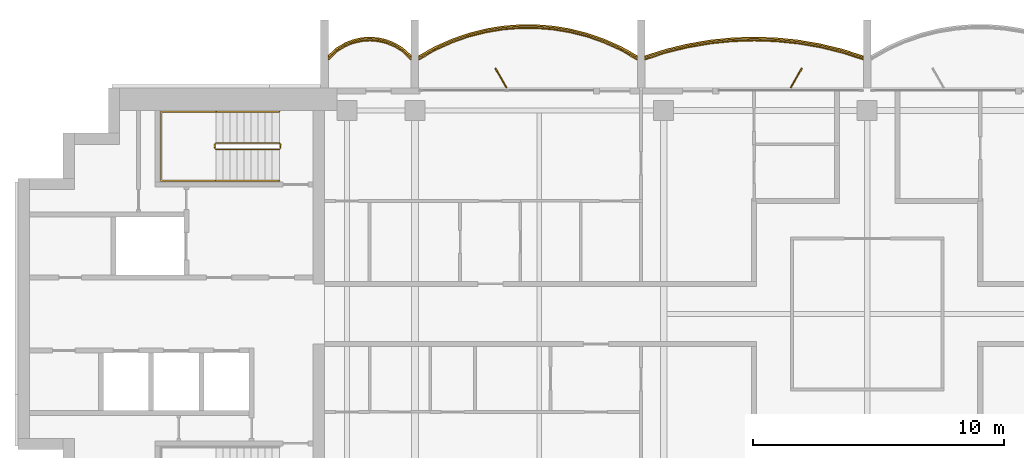
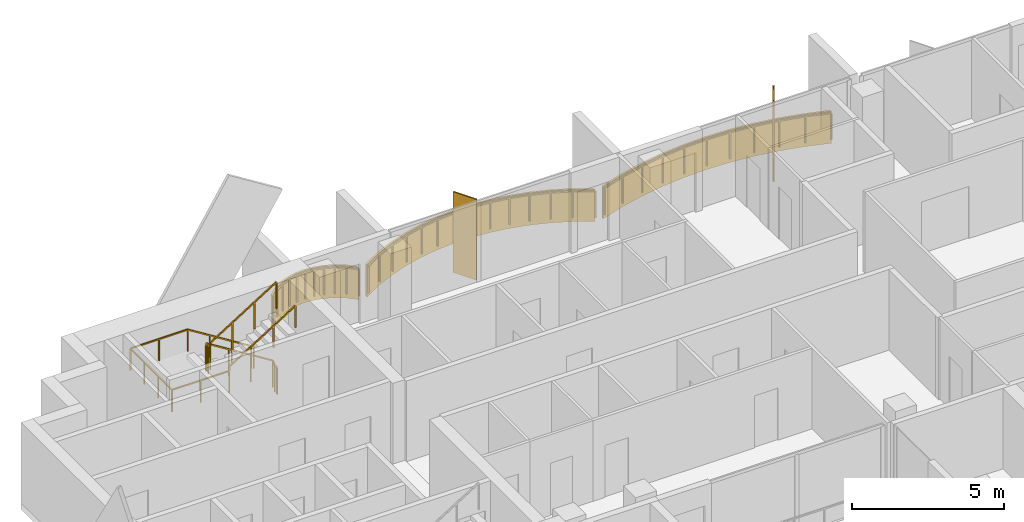
# One storey, part 14 of 16: 5 railings, 3 coverings, 2 shading devices.
"""IFC4 building model written with IfcOpenShell, lengths in metres."""

from ifc_helpers import new_model, si_unit, direction, frame, origin, origin_2d, place, context, subcontext, project, spatial, polyline, rectangle, outline, extrude, material, layer, layer_set, type_object, element, save


model = new_model("IFC4")

# Units and contexts
model_context = context("Model", 3, precision=1e-05, world=origin(), true_north=direction((0.0, 1.0)))
body_context = subcontext(model_context, "Body", "Model", "MODEL_VIEW")
ifc_project = project(units=[si_unit("LENGTHUNIT", "METRE"), si_unit("AREAUNIT", "SQUARE_METRE"), si_unit("VOLUMEUNIT", "CUBIC_METRE"), si_unit("PLANEANGLEUNIT", "RADIAN"), si_unit("MASSUNIT", "GRAM", prefix="KILO")], contexts=[model_context])

# Site, building, storey
site_placement = place(None, origin())
site = spatial("IfcSite", under=ifc_project, at=site_placement, CompositionType="ELEMENT")
building_placement = place(site_placement, origin())
building = spatial("IfcBuilding", under=site, at=building_placement, Name="Perihelion Cross Residences", CompositionType="ELEMENT")
storey_placement = place(building_placement, frame((0.0, 0.0, 239.5)))
storey = spatial("IfcBuildingStorey", under=building, at=storey_placement, Name="L60", CompositionType="ELEMENT", Elevation=239.5)

# Coverings
ifc_material_1 = material(Name="Bronze anodised aluminium", Category="aluminium")
ifc_layer_1 = layer(ifc_material_1, 0.070068359375)
ifc_layer_set_1 = layer_set([ifc_layer_1], Name="Balcony fascia 1300")
covering_type = type_object("IfcCoveringType", Name="Balcony fascia 1300", PredefinedType="CLADDING", material=ifc_layer_set_1)
covering_1_placement = place(storey_placement, frame((0.0, 0.0, -0.199951171875)))
element("IfcCovering", 1, at=covering_1_placement, inside=storey, type_object=covering_type, Name="Fascia BF1 L60 north side east bay 2", PredefinedType="CLADDING", context=body_context, shape_type="SweptSolid", body=[
    extrude(outline(polyline([(-1.001220703125, 10.542724609375), (-1.8759765625, 10.753662109375), (-2.750732421875, 10.90234375), (-3.625244140625, 10.99072265625), (-4.5, 11.02001953125), (-5.374755859375, 10.99072265625), (-6.249267578125, 10.90234375), (-7.1240234375, 10.753662109375), (-7.998779296875, 10.542724609375), (-8.85009765625, 10.2734375), (-8.85009765625, 10.199951171875), (-7.97998046875, 10.47509765625), (-7.110107421875, 10.68505859375), (-6.239990234375, 10.8330078125), (-5.3701171875, 10.9208984375), (-4.5, 10.949951171875), (-3.6298828125, 10.9208984375), (-2.760009765625, 10.8330078125), (-1.889892578125, 10.68505859375), (-1.02001953125, 10.47509765625), (-0.14990234375, 10.199951171875), (-0.14990234375, 10.2734375), (-1.001220703125, 10.542724609375)])), origin(), (0.0, 0.0, 1.0), 1.300048828125),
])
covering_2_placement = place(storey_placement, frame((0.0, 0.0, -0.199951171875)))
element("IfcCovering", 2, at=covering_2_placement, inside=storey, type_object=covering_type, Name="Fascia BF1 L60 west side north bay 1", PredefinedType="CLADDING", context=body_context, shape_type="SweptSolid", body=[
    extrude(outline(polyline([(-9.787841796875, 10.63916015625), (-10.462646484375, 10.941650390625), (-11.1376953125, 11.175048828125), (-11.8125, 11.345947265625), (-12.487548828125, 11.457763671875), (-13.16259765625, 11.51318359375), (-13.83740234375, 11.51318359375), (-14.512451171875, 11.457763671875), (-15.1875, 11.345947265625), (-15.8623046875, 11.175048828125), (-16.537353515625, 10.941650390625), (-17.212158203125, 10.63916015625), (-17.85009765625, 10.2802734375), (-17.85009765625, 10.199951171875), (-17.1806640625, 10.57666015625), (-16.511474609375, 10.87646484375), (-15.84228515625, 11.108154296875), (-15.173095703125, 11.27734375), (-14.50390625, 11.38818359375), (-13.834716796875, 11.443115234375), (-13.165283203125, 11.443115234375), (-12.49609375, 11.38818359375), (-11.826904296875, 11.27734375), (-11.15771484375, 11.108154296875), (-10.488525390625, 10.87646484375), (-9.8193359375, 10.57666015625), (-9.14990234375, 10.199951171875), (-9.14990234375, 10.2802734375), (-9.787841796875, 10.63916015625)])), origin(), (0.0, 0.0, 1.0), 1.300048828125),
])
covering_3_placement = place(storey_placement, frame((0.0, 0.0, -0.199951171875)))
element("IfcCovering", 3, at=covering_3_placement, inside=storey, type_object=covering_type, Name="Fascia BF1 L60 west side north bay 2", PredefinedType="CLADDING", context=body_context, shape_type="SweptSolid", body=[
    extrude(outline(polyline([(-18.4375, 10.56298828125), (-18.778076171875, 10.77587890625), (-19.11865234375, 10.914794921875), (-19.45947265625, 10.994140625), (-19.800048828125, 11.02001953125), (-20.140625, 10.994140625), (-20.481201171875, 10.914794921875), (-20.82177734375, 10.77587890625), (-21.16259765625, 10.56298828125), (-21.449951171875, 10.295654296875), (-21.449951171875, 10.199951171875), (-21.1201171875, 10.507568359375), (-20.7900390625, 10.71337890625), (-20.4599609375, 10.84814453125), (-20.1298828125, 10.925048828125), (-19.800048828125, 10.949951171875), (-19.469970703125, 10.925048828125), (-19.139892578125, 10.84814453125), (-18.81005859375, 10.71337890625), (-18.47998046875, 10.507568359375), (-18.14990234375, 10.199951171875), (-18.14990234375, 10.295654296875), (-18.4375, 10.56298828125)])), origin(), (0.0, 0.0, 1.0), 1.300048828125),
])

# Railings
ifc_material_2 = material(Name="Bronze anodised aluminium", Category="aluminium")
railing_type_1 = type_object("IfcRailingType", Name="Balcony guard 1100", PredefinedType="GUARDRAIL", material=ifc_material_2)
railing_1_placement = place(storey_placement, frame((-0.175048828125, 10.139892578125, 0.0)))
element("IfcRailing", 4, at=railing_1_placement, inside=storey, type_object=railing_type_1, Name="Guard GU1 L60 north side east bay 2 balcony", PredefinedType="GUARDRAIL", context=body_context, shape_type="SweptSolid", body=[
    extrude(rectangle(XDim=0.048095703125, YDim=0.048095703125, at=origin_2d()), frame((0.0, 0.0, 1.076171875), z_axis=(-0.950777354264, 0.30987484993, 0.0), x_axis=(-0.30987484993, -0.950777354264, 0.0)), (0.0, 0.0, 1.0), 0.888671875),
    extrude(rectangle(XDim=0.048095703125, YDim=0.048095703125, at=origin_2d()), frame((-0.844970703125, 0.275390625, 1.076171875), z_axis=(-0.972146551129, 0.234373810671, 0.0), x_axis=(-0.234373810671, -0.972146551129, 0.0)), (0.0, 0.0, 1.0), 0.894775390625),
    extrude(rectangle(XDim=0.048095703125, YDim=0.048095703125, at=origin_2d()), frame((-1.71484375, 0.485107421875, 1.076171875), z_axis=(-0.985850361727, 0.167627755108, 0.0), x_axis=(-0.167627755108, -0.985850361727, 0.0)), (0.0, 0.0, 1.0), 0.882568359375),
    extrude(rectangle(XDim=0.048095703125, YDim=0.048095703125, at=origin_2d()), frame((-2.5849609375, 0.633056640625, 1.076171875), z_axis=(-0.994934368303, 0.100526627165, 0.0), x_axis=(-0.100526627165, -0.994934368303, 0.0)), (0.0, 0.0, 1.0), 0.874267578125),
    extrude(rectangle(XDim=0.048095703125, YDim=0.048095703125, at=origin_2d()), frame((-3.454833984375, 0.720947265625, 1.076171875), z_axis=(-0.999443037968, 0.0333708534, 0.0), x_axis=(-0.0333708534, -0.999443037968, 0.0)), (0.0, 0.0, 1.0), 0.87060546875),
    extrude(rectangle(XDim=0.048095703125, YDim=0.048095703125, at=origin_2d()), frame((-4.324951171875, 0.75, 1.076171875), z_axis=(-0.999443037968, -0.0333708534, 0.0), x_axis=(0.0333708534, -0.999443037968, 0.0)), (0.0, 0.0, 1.0), 0.87060546875),
    extrude(rectangle(XDim=0.048095703125, YDim=0.048095703125, at=origin_2d()), frame((-5.195068359375, 0.720947265625, 1.076171875), z_axis=(-0.994934368303, -0.100526627165, 0.0), x_axis=(0.100526627165, -0.994934368303, 0.0)), (0.0, 0.0, 1.0), 0.874267578125),
    extrude(rectangle(XDim=0.048095703125, YDim=0.048095703125, at=origin_2d()), frame((-6.06494140625, 0.633056640625, 1.076171875), z_axis=(-0.985850361727, -0.167627755108, 0.0), x_axis=(0.167627755108, -0.985850361727, 0.0)), (0.0, 0.0, 1.0), 0.882568359375),
    extrude(rectangle(XDim=0.048095703125, YDim=0.048095703125, at=origin_2d()), frame((-6.93505859375, 0.485107421875, 1.076171875), z_axis=(-0.972146551129, -0.234373810671, 0.0), x_axis=(0.234373810671, -0.972146551129, 0.0)), (0.0, 0.0, 1.0), 0.894775390625),
    extrude(rectangle(XDim=0.048095703125, YDim=0.048095703125, at=origin_2d()), frame((-7.804931640625, 0.275390625, 1.076171875), z_axis=(-0.950777354264, -0.30987484993, 0.0), x_axis=(0.30987484993, -0.950777354264, 0.0)), (0.0, 0.0, 1.0), 0.888671875),
    extrude(rectangle(XDim=0.0419921875, YDim=0.0419921875, at=origin_2d()), origin(), (0.0, 0.0, 1.0), 1.052001953125),
    extrude(rectangle(XDim=0.0419921875, YDim=0.0419921875, at=origin_2d()), frame((-0.844970703125, 0.275390625, 0.0)), (0.0, 0.0, 1.0), 1.052001953125),
    extrude(rectangle(XDim=0.0419921875, YDim=0.0419921875, at=origin_2d()), frame((-1.71484375, 0.485107421875, 0.0)), (0.0, 0.0, 1.0), 1.052001953125),
    extrude(rectangle(XDim=0.0419921875, YDim=0.0419921875, at=origin_2d()), frame((-2.5849609375, 0.633056640625, 0.0)), (0.0, 0.0, 1.0), 1.052001953125),
    extrude(rectangle(XDim=0.0419921875, YDim=0.0419921875, at=origin_2d()), frame((-3.454833984375, 0.720947265625, 0.0)), (0.0, 0.0, 1.0), 1.052001953125),
    extrude(rectangle(XDim=0.0419921875, YDim=0.0419921875, at=origin_2d()), frame((-4.324951171875, 0.75, 0.0)), (0.0, 0.0, 1.0), 1.052001953125),
    extrude(rectangle(XDim=0.0419921875, YDim=0.0419921875, at=origin_2d()), frame((-5.195068359375, 0.720947265625, 0.0)), (0.0, 0.0, 1.0), 1.052001953125),
    extrude(rectangle(XDim=0.0419921875, YDim=0.0419921875, at=origin_2d()), frame((-6.06494140625, 0.633056640625, 0.0)), (0.0, 0.0, 1.0), 1.052001953125),
    extrude(rectangle(XDim=0.0419921875, YDim=0.0419921875, at=origin_2d()), frame((-6.93505859375, 0.485107421875, 0.0)), (0.0, 0.0, 1.0), 1.052001953125),
    extrude(rectangle(XDim=0.0419921875, YDim=0.0419921875, at=origin_2d()), frame((-7.804931640625, 0.275390625, 0.0)), (0.0, 0.0, 1.0), 1.052001953125),
    extrude(rectangle(XDim=0.0419921875, YDim=0.0419921875, at=origin_2d()), frame((-8.64990234375, 0.0, 0.0)), (0.0, 0.0, 1.0), 1.052001953125),
])
railing_2_placement = place(storey_placement, frame((-9.175048828125, 10.139892578125, 0.0)))
element("IfcRailing", 5, at=railing_2_placement, inside=storey, type_object=railing_type_1, Name="Guard GU1 L60 west side north bay 1 balcony", PredefinedType="GUARDRAIL", context=body_context, shape_type="SweptSolid", body=[
    extrude(rectangle(XDim=0.048095703125, YDim=0.048095703125, at=origin_2d()), frame((0.0, 0.0, 1.076171875), z_axis=(-0.863125740505, 0.504989065305, 0.0), x_axis=(-0.504989065305, -0.863125740505, 0.0)), (0.0, 0.0, 1.0), 0.746337890625),
    extrude(rectangle(XDim=0.048095703125, YDim=0.048095703125, at=origin_2d()), frame((-0.644287109375, 0.376953125, 1.076171875), z_axis=(-0.912723499295, 0.408577794103, 0.0), x_axis=(-0.408577794103, -0.912723499295, 0.0)), (0.0, 0.0, 1.0), 0.733154296875),
    extrude(rectangle(XDim=0.048095703125, YDim=0.048095703125, at=origin_2d()), frame((-1.3134765625, 0.676513671875, 1.076171875), z_axis=(-0.944965577734, 0.327169767701, 0.0), x_axis=(-0.327169767701, -0.944965577734, 0.0)), (0.0, 0.0, 1.0), 0.708251953125),
    extrude(rectangle(XDim=0.048095703125, YDim=0.048095703125, at=origin_2d()), frame((-1.982666015625, 0.908203125, 1.076171875), z_axis=(-0.96949408574, 0.245114703181, 0.0), x_axis=(-0.245114703181, -0.96949408574, 0.0)), (0.0, 0.0, 1.0), 0.690185546875),
    extrude(rectangle(XDim=0.048095703125, YDim=0.048095703125, at=origin_2d()), frame((-2.65185546875, 1.077392578125, 1.076171875), z_axis=(-0.986500713816, 0.163756959061, 0.0), x_axis=(-0.163756959061, -0.986500713816, 0.0)), (0.0, 0.0, 1.0), 0.678466796875),
    extrude(rectangle(XDim=0.048095703125, YDim=0.048095703125, at=origin_2d()), frame((-3.321044921875, 1.1884765625, 1.076171875), z_axis=(-0.996677390684, 0.081450468994, 0.0), x_axis=(-0.081450468994, -0.996677390684, 0.0)), (0.0, 0.0, 1.0), 0.67138671875),
    extrude(rectangle(XDim=0.048095703125, YDim=0.048095703125, at=origin_2d()), frame((-3.990234375, 1.2431640625, 1.076171875), z_axis=(-1.0, 0.0, 0.0), x_axis=(0.0, -1.0, 0.0)), (0.0, 0.0, 1.0), 0.66943359375),
    extrude(rectangle(XDim=0.048095703125, YDim=0.048095703125, at=origin_2d()), frame((-4.65966796875, 1.2431640625, 1.076171875), z_axis=(-0.996677390684, -0.081450468994, 0.0), x_axis=(0.081450468994, -0.996677390684, 0.0)), (0.0, 0.0, 1.0), 0.67138671875),
    extrude(rectangle(XDim=0.048095703125, YDim=0.048095703125, at=origin_2d()), frame((-5.328857421875, 1.1884765625, 1.076171875), z_axis=(-0.986500713816, -0.163756959061, 0.0), x_axis=(0.163756959061, -0.986500713816, 0.0)), (0.0, 0.0, 1.0), 0.678466796875),
    extrude(rectangle(XDim=0.048095703125, YDim=0.048095703125, at=origin_2d()), frame((-5.998046875, 1.077392578125, 1.076171875), z_axis=(-0.96949408574, -0.245114703181, 0.0), x_axis=(0.245114703181, -0.96949408574, 0.0)), (0.0, 0.0, 1.0), 0.690185546875),
    extrude(rectangle(XDim=0.048095703125, YDim=0.048095703125, at=origin_2d()), frame((-6.667236328125, 0.908203125, 1.076171875), z_axis=(-0.944965577734, -0.327169767701, 0.0), x_axis=(0.327169767701, -0.944965577734, 0.0)), (0.0, 0.0, 1.0), 0.708251953125),
    extrude(rectangle(XDim=0.048095703125, YDim=0.048095703125, at=origin_2d()), frame((-7.33642578125, 0.676513671875, 1.076171875), z_axis=(-0.912723499295, -0.408577794103, 0.0), x_axis=(0.408577794103, -0.912723499295, 0.0)), (0.0, 0.0, 1.0), 0.733154296875),
    extrude(rectangle(XDim=0.048095703125, YDim=0.048095703125, at=origin_2d()), frame((-8.005615234375, 0.376953125, 1.076171875), z_axis=(-0.863125740505, -0.504989065305, 0.0), x_axis=(0.504989065305, -0.863125740505, 0.0)), (0.0, 0.0, 1.0), 0.746337890625),
    extrude(rectangle(XDim=0.0419921875, YDim=0.0419921875, at=origin_2d()), origin(), (0.0, 0.0, 1.0), 1.052001953125),
    extrude(rectangle(XDim=0.0419921875, YDim=0.0419921875, at=origin_2d()), frame((-0.644287109375, 0.376953125, 0.0)), (0.0, 0.0, 1.0), 1.052001953125),
    extrude(rectangle(XDim=0.0419921875, YDim=0.0419921875, at=origin_2d()), frame((-1.3134765625, 0.676513671875, 0.0)), (0.0, 0.0, 1.0), 1.052001953125),
    extrude(rectangle(XDim=0.0419921875, YDim=0.0419921875, at=origin_2d()), frame((-1.982666015625, 0.908203125, 0.0)), (0.0, 0.0, 1.0), 1.052001953125),
    extrude(rectangle(XDim=0.0419921875, YDim=0.0419921875, at=origin_2d()), frame((-2.65185546875, 1.077392578125, 0.0)), (0.0, 0.0, 1.0), 1.052001953125),
    extrude(rectangle(XDim=0.0419921875, YDim=0.0419921875, at=origin_2d()), frame((-3.321044921875, 1.1884765625, 0.0)), (0.0, 0.0, 1.0), 1.052001953125),
    extrude(rectangle(XDim=0.0419921875, YDim=0.0419921875, at=origin_2d()), frame((-3.990234375, 1.2431640625, 0.0)), (0.0, 0.0, 1.0), 1.052001953125),
    extrude(rectangle(XDim=0.0419921875, YDim=0.0419921875, at=origin_2d()), frame((-4.65966796875, 1.2431640625, 0.0)), (0.0, 0.0, 1.0), 1.052001953125),
    extrude(rectangle(XDim=0.0419921875, YDim=0.0419921875, at=origin_2d()), frame((-5.328857421875, 1.1884765625, 0.0)), (0.0, 0.0, 1.0), 1.052001953125),
    extrude(rectangle(XDim=0.0419921875, YDim=0.0419921875, at=origin_2d()), frame((-5.998046875, 1.077392578125, 0.0)), (0.0, 0.0, 1.0), 1.052001953125),
    extrude(rectangle(XDim=0.0419921875, YDim=0.0419921875, at=origin_2d()), frame((-6.667236328125, 0.908203125, 0.0)), (0.0, 0.0, 1.0), 1.052001953125),
    extrude(rectangle(XDim=0.0419921875, YDim=0.0419921875, at=origin_2d()), frame((-7.33642578125, 0.676513671875, 0.0)), (0.0, 0.0, 1.0), 1.052001953125),
    extrude(rectangle(XDim=0.0419921875, YDim=0.0419921875, at=origin_2d()), frame((-8.005615234375, 0.376953125, 0.0)), (0.0, 0.0, 1.0), 1.052001953125),
    extrude(rectangle(XDim=0.0419921875, YDim=0.0419921875, at=origin_2d()), frame((-8.64990234375, 0.0, 0.0)), (0.0, 0.0, 1.0), 1.052001953125),
])
railing_3_placement = place(storey_placement, frame((-18.175048828125, 10.139892578125, 0.0)))
element("IfcRailing", 6, at=railing_3_placement, inside=storey, type_object=railing_type_1, Name="Guard GU1 L60 west side north bay 2 balcony", PredefinedType="GUARDRAIL", context=body_context, shape_type="SweptSolid", body=[
    extrude(rectangle(XDim=0.048095703125, YDim=0.048095703125, at=origin_2d()), frame((0.0, 0.0, 1.076171875), z_axis=(-0.703999905859, 0.710200065158, 0.0), x_axis=(-0.710200065158, -0.703999905859, 0.0)), (0.0, 0.0, 1.0), 0.43310546875),
    extrude(rectangle(XDim=0.048095703125, YDim=0.048095703125, at=origin_2d()), frame((-0.304931640625, 0.3076171875, 1.076171875), z_axis=(-0.848280173265, 0.529547682127, 0.0), x_axis=(-0.529547682127, -0.848280173265, 0.0)), (0.0, 0.0, 1.0), 0.38916015625),
    extrude(rectangle(XDim=0.048095703125, YDim=0.048095703125, at=origin_2d()), frame((-0.635009765625, 0.513671875, 1.076171875), z_axis=(-0.925950379976, 0.377645195682, 0.0), x_axis=(-0.377645195682, -0.925950379976, 0.0)), (0.0, 0.0, 1.0), 0.356201171875),
    extrude(rectangle(XDim=0.048095703125, YDim=0.048095703125, at=origin_2d()), frame((-0.96484375, 0.648193359375, 1.076171875), z_axis=(-0.97391554583, 0.226910796551, 0.0), x_axis=(-0.226910796551, -0.97391554583, 0.0)), (0.0, 0.0, 1.0), 0.3388671875),
    extrude(rectangle(XDim=0.048095703125, YDim=0.048095703125, at=origin_2d()), frame((-1.294921875, 0.72509765625, 1.076171875), z_axis=(-0.997166208737, 0.075229995038, 0.0), x_axis=(-0.075229995038, -0.997166208737, 0.0)), (0.0, 0.0, 1.0), 0.3310546875),
    extrude(rectangle(XDim=0.048095703125, YDim=0.048095703125, at=origin_2d()), frame((-1.625, 0.75, 1.076171875), z_axis=(-0.997162029931, -0.075285364214, 0.0), x_axis=(0.075285364214, -0.997162029931, 0.0)), (0.0, 0.0, 1.0), 0.330810546875),
    extrude(rectangle(XDim=0.048095703125, YDim=0.048095703125, at=origin_2d()), frame((-1.954833984375, 0.72509765625, 1.076171875), z_axis=(-0.97391554583, -0.226910796551, 0.0), x_axis=(0.226910796551, -0.97391554583, 0.0)), (0.0, 0.0, 1.0), 0.3388671875),
    extrude(rectangle(XDim=0.048095703125, YDim=0.048095703125, at=origin_2d()), frame((-2.284912109375, 0.648193359375, 1.076171875), z_axis=(-0.926048033295, -0.377405670374, 0.0), x_axis=(0.377405670374, -0.926048033295, 0.0)), (0.0, 0.0, 1.0), 0.3564453125),
    extrude(rectangle(XDim=0.048095703125, YDim=0.048095703125, at=origin_2d()), frame((-2.614990234375, 0.513671875, 1.076171875), z_axis=(-0.848280173265, -0.529547682127, 0.0), x_axis=(0.529547682127, -0.848280173265, 0.0)), (0.0, 0.0, 1.0), 0.38916015625),
    extrude(rectangle(XDim=0.048095703125, YDim=0.048095703125, at=origin_2d()), frame((-2.945068359375, 0.3076171875, 1.076171875), z_axis=(-0.703999905859, -0.710200065158, 0.0), x_axis=(0.710200065158, -0.703999905859, 0.0)), (0.0, 0.0, 1.0), 0.43310546875),
    extrude(rectangle(XDim=0.0419921875, YDim=0.0419921875, at=origin_2d()), origin(), (0.0, 0.0, 1.0), 1.052001953125),
    extrude(rectangle(XDim=0.0419921875, YDim=0.0419921875, at=origin_2d()), frame((-0.304931640625, 0.3076171875, 0.0)), (0.0, 0.0, 1.0), 1.052001953125),
    extrude(rectangle(XDim=0.0419921875, YDim=0.0419921875, at=origin_2d()), frame((-0.635009765625, 0.513671875, 0.0)), (0.0, 0.0, 1.0), 1.052001953125),
    extrude(rectangle(XDim=0.0419921875, YDim=0.0419921875, at=origin_2d()), frame((-0.96484375, 0.648193359375, 0.0)), (0.0, 0.0, 1.0), 1.052001953125),
    extrude(rectangle(XDim=0.0419921875, YDim=0.0419921875, at=origin_2d()), frame((-1.294921875, 0.72509765625, 0.0)), (0.0, 0.0, 1.0), 1.052001953125),
    extrude(rectangle(XDim=0.0419921875, YDim=0.0419921875, at=origin_2d()), frame((-1.625, 0.75, 0.0)), (0.0, 0.0, 1.0), 1.052001953125),
    extrude(rectangle(XDim=0.0419921875, YDim=0.0419921875, at=origin_2d()), frame((-1.954833984375, 0.72509765625, 0.0)), (0.0, 0.0, 1.0), 1.052001953125),
    extrude(rectangle(XDim=0.0419921875, YDim=0.0419921875, at=origin_2d()), frame((-2.284912109375, 0.648193359375, 0.0)), (0.0, 0.0, 1.0), 1.052001953125),
    extrude(rectangle(XDim=0.0419921875, YDim=0.0419921875, at=origin_2d()), frame((-2.614990234375, 0.513671875, 0.0)), (0.0, 0.0, 1.0), 1.052001953125),
    extrude(rectangle(XDim=0.0419921875, YDim=0.0419921875, at=origin_2d()), frame((-2.945068359375, 0.3076171875, 0.0)), (0.0, 0.0, 1.0), 1.052001953125),
    extrude(rectangle(XDim=0.0419921875, YDim=0.0419921875, at=origin_2d()), frame((-3.25, 0.0, 0.0)), (0.0, 0.0, 1.0), 1.052001953125),
])

# Shading devices
ifc_material_3 = material(Name="Bronze anodised aluminium", Category="aluminium")
ifc_layer_2 = layer(ifc_material_3, 0.050048828125)
ifc_layer_set_2 = layer_set([ifc_layer_2], Name="Bronze fin 900")
shading_device_type = type_object("IfcShadingDeviceType", Name="Bronze fin 900", PredefinedType="USERDEFINED", material=ifc_layer_set_2)
for number, where, z_axis, x_axis, name in (
    (7, (-2.824951171875, 9.3896484375, 0.0), (0.0, 0.0, 1.0), (0.5, 0.866025403784, 0.0), "Fin FN1 L60 north side east bay 2"),
    (8, (-14.574951171875, 9.3896484375, 0.0), (0.0, 0.0, 1.0), (-0.5, 0.866025403784, 0.0), "Fin FN1 L60 west side north bay 1"),
):
    element("IfcShadingDevice", number, at=place(storey_placement, frame(where, z_axis=z_axis, x_axis=x_axis)), inside=storey, type_object=shading_device_type, Name=name, ObjectType="FIN", PredefinedType="USERDEFINED", context=body_context, shape_type="SweptSolid", body=[
        extrude(rectangle(XDim=0.89990234375, YDim=0.050048828125, at=origin_2d()), origin(), (0.0, 0.0, 1.0), 3.25),
    ])

# Railings
ifc_material_4 = material(Name="Stainless steel", Category="steel")
railing_type_2 = type_object("IfcRailingType", Name="Stair guard 1100", PredefinedType="GUARDRAIL", material=ifc_material_4)
railing_4_placement = place(storey_placement, frame((-23.35009765625, 6.60009765625, 0.0)))
element("IfcRailing", 9, at=railing_4_placement, inside=storey, type_object=railing_type_2, Name="L60 ST-W1 stair guard 1", PredefinedType="GUARDRAIL", context=body_context, shape_type="SweptSolid", body=[
    extrude(rectangle(XDim=0.048095703125, YDim=0.048095703125, at=origin_2d()), frame((0.0, 0.0, 1.076171875), z_axis=(0.0, 1.0, 0.0), x_axis=(-1.0, 0.0, 0.0)), (0.0, 0.0, 1.0), 0.14990234375),
    extrude(rectangle(XDim=0.048095703125, YDim=0.048095703125, at=origin_2d()), frame((0.0, 0.14990234375, 1.076171875), z_axis=(-0.263862480399, 0.265155923931, 0.927399011991), x_axis=(-0.708833529934, -0.705375805398, 0.0)), (0.0, 0.0, 1.0), 0.188720703125),
    extrude(rectangle(XDim=0.048095703125, YDim=0.048095703125, at=origin_2d()), frame((-0.0498046875, 0.199951171875, 1.2509765625), z_axis=(-0.848007534815, 0.0, 0.529984170421), x_axis=(0.0, -1.0, 0.0)), (0.0, 0.0, 1.0), 2.9716796875),
    extrude(rectangle(XDim=0.048095703125, YDim=0.048095703125, at=origin_2d()), frame((-2.56982421875, 0.199951171875, 2.826171875), z_axis=(-0.707106781187, -0.707106781187, 0.0), x_axis=(0.707106781187, -0.707106781187, 0.0)), (0.0, 0.0, 1.0), 0.07080078125),
    extrude(rectangle(XDim=0.048095703125, YDim=0.048095703125, at=origin_2d()), frame((-2.619873046875, 0.14990234375, 2.826171875), z_axis=(0.0, -1.0, 0.0), x_axis=(1.0, 0.0, 0.0)), (0.0, 0.0, 1.0), 0.14990234375),
    extrude(rectangle(XDim=0.048095703125, YDim=0.048095703125, at=origin_2d()), frame((-2.619873046875, 0.0, 2.826171875), z_axis=(0.265065253269, -0.265065253269, 0.927081885822), x_axis=(0.707106781187, 0.707106781187, 0.0)), (0.0, 0.0, 1.0), 0.188720703125),
    extrude(rectangle(XDim=0.048095703125, YDim=0.048095703125, at=origin_2d()), frame((-2.56982421875, -0.050048828125, 3.0009765625), z_axis=(0.848007534815, 0.0, 0.529984170421), x_axis=(0.0, 1.0, 0.0)), (0.0, 0.0, 1.0), 2.9716796875),
    extrude(rectangle(XDim=0.0419921875, YDim=0.0419921875, at=origin_2d()), origin(), (0.0, 0.0, 1.0), 1.052001953125),
    extrude(rectangle(XDim=0.0419921875, YDim=0.0419921875, at=origin_2d()), frame((0.0, 0.14990234375, 0.0)), (0.0, 0.0, 1.0), 1.052001953125),
    extrude(rectangle(XDim=0.0419921875, YDim=0.0419921875, at=origin_2d()), frame((-0.0498046875, 0.199951171875, 0.175048828125)), (0.0, 0.0, 1.0), 1.052001953125),
    extrude(rectangle(XDim=0.0419921875, YDim=0.0419921875, at=origin_2d()), frame((-0.889892578125, 0.199951171875, 0.699951171875)), (0.0, 0.0, 1.0), 1.052001953125),
    extrude(rectangle(XDim=0.0419921875, YDim=0.0419921875, at=origin_2d()), frame((-1.729736328125, 0.199951171875, 1.22509765625)), (0.0, 0.0, 1.0), 1.052001953125),
    extrude(rectangle(XDim=0.0419921875, YDim=0.0419921875, at=origin_2d()), frame((-2.56982421875, 0.199951171875, 1.75)), (0.0, 0.0, 1.0), 1.052001953125),
    extrude(rectangle(XDim=0.0419921875, YDim=0.0419921875, at=origin_2d()), frame((-2.619873046875, 0.14990234375, 1.75)), (0.0, 0.0, 1.0), 1.052001953125),
    extrude(rectangle(XDim=0.0419921875, YDim=0.0419921875, at=origin_2d()), frame((-2.619873046875, 0.0, 1.75)), (0.0, 0.0, 1.0), 1.052001953125),
    extrude(rectangle(XDim=0.0419921875, YDim=0.0419921875, at=origin_2d()), frame((-2.56982421875, -0.050048828125, 1.925048828125)), (0.0, 0.0, 1.0), 1.052001953125),
    extrude(rectangle(XDim=0.0419921875, YDim=0.0419921875, at=origin_2d()), frame((-1.729736328125, -0.050048828125, 2.449951171875)), (0.0, 0.0, 1.0), 1.052001953125),
    extrude(rectangle(XDim=0.0419921875, YDim=0.0419921875, at=origin_2d()), frame((-0.889892578125, -0.050048828125, 2.97509765625)), (0.0, 0.0, 1.0), 1.052001953125),
    extrude(rectangle(XDim=0.0419921875, YDim=0.0419921875, at=origin_2d()), frame((-0.0498046875, -0.050048828125, 3.5)), (0.0, 0.0, 1.0), 1.052001953125),
])
ifc_material_5 = material(Name="Stainless steel", Category="steel")
railing_type_3 = type_object("IfcRailingType", Name="Stair handrail 900", PredefinedType="HANDRAIL", material=ifc_material_5)
railing_5_placement = place(storey_placement, frame((-23.39990234375, 8.050048828125, 0.175048828125)))
element("IfcRailing", 10, at=railing_5_placement, inside=storey, type_object=railing_type_3, Name="L60 ST-W1 stair handrail 1", PredefinedType="HANDRAIL", context=body_context, shape_type="SweptSolid", body=[
    extrude(rectangle(XDim=0.048095703125, YDim=0.048095703125, at=origin_2d()), frame((0.0, 0.0, 0.8759765625), z_axis=(-0.848007534815, 0.0, 0.529984170421), x_axis=(0.0, -1.0, 0.0)), (0.0, 0.0, 1.0), 2.9716796875),
    extrude(rectangle(XDim=0.048095703125, YDim=0.048095703125, at=origin_2d()), frame((-2.52001953125, 0.0, 2.45068359375), z_axis=(-1.0, 0.0, 0.0), x_axis=(0.0, -1.0, 0.0)), (0.0, 0.0, 1.0), 2.18017578125),
    extrude(rectangle(XDim=0.048095703125, YDim=0.048095703125, at=origin_2d()), frame((-4.7001953125, 0.0, 2.45068359375), z_axis=(0.0, -1.0, 0.0), x_axis=(1.0, 0.0, 0.0)), (0.0, 0.0, 1.0), 2.75),
    extrude(rectangle(XDim=0.048095703125, YDim=0.048095703125, at=origin_2d()), frame((-4.7001953125, -2.75, 2.45068359375), z_axis=(1.0, 0.0, 0.0), x_axis=(0.0, 1.0, 0.0)), (0.0, 0.0, 1.0), 2.18017578125),
    extrude(rectangle(XDim=0.048095703125, YDim=0.048095703125, at=origin_2d()), frame((-2.52001953125, -2.75, 2.45068359375), z_axis=(0.0, 0.0, 1.0), x_axis=(1.0, 0.0, 0.0)), (0.0, 0.0, 1.0), 0.175048828125),
    extrude(rectangle(XDim=0.048095703125, YDim=0.048095703125, at=origin_2d()), frame((-2.52001953125, -2.75, 2.6259765625), z_axis=(0.848007534815, 0.0, 0.529984170421), x_axis=(0.0, 1.0, 0.0)), (0.0, 0.0, 1.0), 2.9716796875),
    extrude(rectangle(XDim=0.0419921875, YDim=0.0419921875, at=origin_2d()), origin(), (0.0, 0.0, 1.0), 0.851806640625),
    extrude(rectangle(XDim=0.0419921875, YDim=0.0419921875, at=origin_2d()), frame((-0.840087890625, 0.0, 0.52490234375)), (0.0, 0.0, 1.0), 0.851806640625),
    extrude(rectangle(XDim=0.0419921875, YDim=0.0419921875, at=origin_2d()), frame((-1.679931640625, 0.0, 1.050048828125)), (0.0, 0.0, 1.0), 0.851806640625),
    extrude(rectangle(XDim=0.0419921875, YDim=0.0419921875, at=origin_2d()), frame((-2.52001953125, 0.0, 1.574951171875)), (0.0, 0.0, 1.0), 0.851806640625),
    extrude(rectangle(XDim=0.0419921875, YDim=0.0419921875, at=origin_2d()), frame((-3.610107421875, 0.0, 1.574951171875)), (0.0, 0.0, 1.0), 0.851806640625),
    extrude(rectangle(XDim=0.0419921875, YDim=0.0419921875, at=origin_2d()), frame((-4.7001953125, 0.0, 1.574951171875)), (0.0, 0.0, 1.0), 0.851806640625),
    extrude(rectangle(XDim=0.0419921875, YDim=0.0419921875, at=origin_2d()), frame((-4.7001953125, -0.916748046875, 1.574951171875)), (0.0, 0.0, 1.0), 0.851806640625),
    extrude(rectangle(XDim=0.0419921875, YDim=0.0419921875, at=origin_2d()), frame((-4.7001953125, -1.833251953125, 1.574951171875)), (0.0, 0.0, 1.0), 0.851806640625),
    extrude(rectangle(XDim=0.0419921875, YDim=0.0419921875, at=origin_2d()), frame((-4.7001953125, -2.75, 1.574951171875)), (0.0, 0.0, 1.0), 0.851806640625),
    extrude(rectangle(XDim=0.0419921875, YDim=0.0419921875, at=origin_2d()), frame((-3.610107421875, -2.75, 1.574951171875)), (0.0, 0.0, 1.0), 0.851806640625),
    extrude(rectangle(XDim=0.0419921875, YDim=0.0419921875, at=origin_2d()), frame((-2.52001953125, -2.75, 1.574951171875)), (0.0, 0.0, 1.0), 0.851806640625),
    extrude(rectangle(XDim=0.0419921875, YDim=0.0419921875, at=origin_2d()), frame((-2.52001953125, -2.75, 1.75)), (0.0, 0.0, 1.0), 0.851806640625),
    extrude(rectangle(XDim=0.0419921875, YDim=0.0419921875, at=origin_2d()), frame((-1.679931640625, -2.75, 2.27490234375)), (0.0, 0.0, 1.0), 0.851806640625),
    extrude(rectangle(XDim=0.0419921875, YDim=0.0419921875, at=origin_2d()), frame((-0.840087890625, -2.75, 2.800048828125)), (0.0, 0.0, 1.0), 0.851806640625),
    extrude(rectangle(XDim=0.0419921875, YDim=0.0419921875, at=origin_2d()), frame((0.0, -2.75, 3.324951171875)), (0.0, 0.0, 1.0), 0.851806640625),
])

save(model, "model.ifc")
